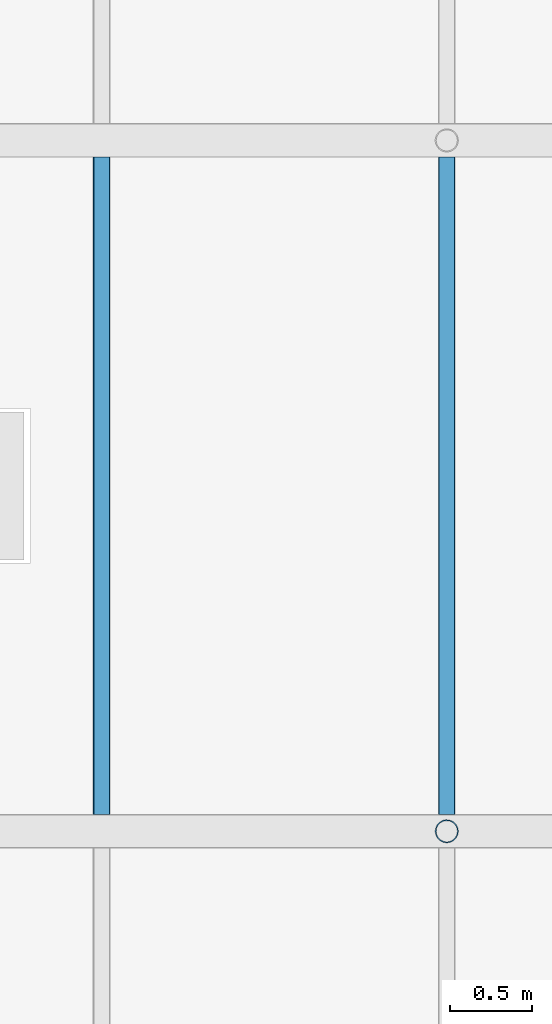
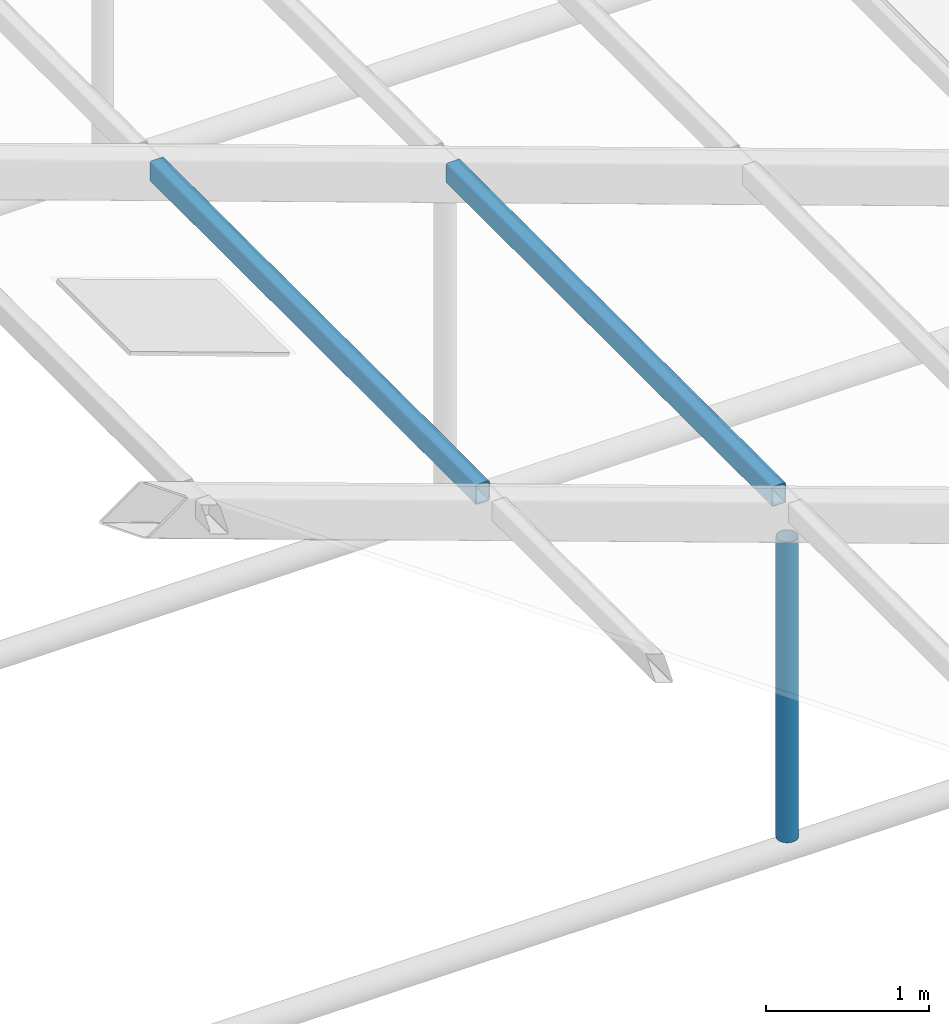
# One storey, part 56 of 116: 3 members.
"""IFC4 building model written with IfcOpenShell, lengths in metres."""

import ifcopenshell
import ifcopenshell.guid

model = None  # the IFC model being written
_history = None  # IfcOwnerHistory: only IFC2X3 demands one
_inside = {}  # id of a spatial element -> (the spatial element, [elements in it])
_under = {}  # id of a project, library or spatial element -> (it, [spatial elements below it])
_declared = {}  # id of a project -> (the project, [libraries it declares])
_typed = {}  # id of a type object -> (the type object, [elements of that type])
_made_of = {}  # id of a material, layer set ... -> (it, [elements and type objects made of it])


def new_model(schema):
    """Start an empty IFC model of exactly this schema.

    Asked for "IFC4X3", IfcOpenShell would pick the latest addendum, in which some entities
    have other attributes; the version numbers below select the first issue.
    IFC2X3 requires an IfcOwnerHistory on every rooted entity: one is made here for all.
    """
    global model, _history
    if schema == "IFC4X3":
        model = ifcopenshell.file(schema_version=(4, 3, 0, 0))
    else:
        model = ifcopenshell.file(schema=schema)
    _inside.clear()
    _under.clear()
    _declared.clear()
    _typed.clear()
    _made_of.clear()
    _history = None
    if model.schema == "IFC2X3":
        org = make("IfcOrganization", Name="unknown")
        user = make(
            "IfcPersonAndOrganization",
            ThePerson=make("IfcPerson", FamilyName="unknown"),
            TheOrganization=org,
        )
        app = make(
            "IfcApplication",
            ApplicationDeveloper=org,
            Version="unknown",
            ApplicationFullName="unknown",
            ApplicationIdentifier="unknown",
        )
        _history = make(
            "IfcOwnerHistory",
            OwningUser=user,
            OwningApplication=app,
            ChangeAction="ADDED",
            CreationDate=0,
        )
    return model


def make(cls, **values):
    """One entity of the class cls with the attributes given. An attribute that is None is left unset."""
    return model.create_entity(
        cls, **{name: value for name, value in values.items() if value is not None}
    )


def rooted(cls, **values):
    """An entity with a GlobalId (a new one), such as an element, a storey or a relation."""
    return make(cls, GlobalId=ifcopenshell.guid.new(), OwnerHistory=_history, **values)


def si_unit(unit_type, name, prefix=None):
    """IfcSIUnit, for example si_unit("LENGTHUNIT", "METRE", prefix="MILLI")."""
    return make("IfcSIUnit", UnitType=unit_type, Prefix=prefix, Name=name)


def assignment(units):
    """IfcUnitAssignment: the units of a project."""
    return None if units is None else make("IfcUnitAssignment", Units=units)


def point(xyz):
    """IfcCartesianPoint."""
    return None if xyz is None else make("IfcCartesianPoint", Coordinates=xyz)


def direction(xyz):
    """IfcDirection."""
    return None if xyz is None else make("IfcDirection", DirectionRatios=xyz)


def frame(location, z_axis=None, x_axis=None):
    """IfcAxis2Placement3D, a coordinate frame: its origin and axes. An axis left out is left unset."""
    return make(
        "IfcAxis2Placement3D",
        Location=point(location),
        Axis=direction(z_axis),
        RefDirection=direction(x_axis),
    )


def frame_2d(location, x_axis=None):
    """IfcAxis2Placement2D, a coordinate frame in the plane: its origin and x axis."""
    return make(
        "IfcAxis2Placement2D", Location=point(location), RefDirection=direction(x_axis)
    )


def origin():
    """The frame at (0, 0, 0) with its axes left unset."""
    return frame((0.0, 0.0, 0.0))


def origin_2d():
    """The frame at (0, 0) in the plane with its x axis left unset."""
    return frame_2d((0.0, 0.0))


def place(relative_to, where):
    """IfcLocalPlacement: puts the frame where relative to a parent placement (None: the world)."""
    return make(
        "IfcLocalPlacement", PlacementRelTo=relative_to, RelativePlacement=where
    )


def context(
    kind, dimensions, precision=None, world=None, true_north=None, identifier=None
):
    """IfcGeometricRepresentationContext, for example the 3D "Model" context."""
    return make(
        "IfcGeometricRepresentationContext",
        ContextIdentifier=identifier,
        ContextType=kind,
        CoordinateSpaceDimension=dimensions,
        Precision=precision,
        WorldCoordinateSystem=world,
        TrueNorth=true_north,
    )


def subcontext(parent, identifier, kind, view, scale=None):
    """IfcGeometricRepresentationSubContext, for example "Body" below "Model"."""
    return make(
        "IfcGeometricRepresentationSubContext",
        ContextIdentifier=identifier,
        ContextType=kind,
        ParentContext=parent,
        TargetScale=scale,
        TargetView=view,
    )


def project(units=None, contexts=None):
    """IfcProject with its units and contexts."""
    return rooted(
        "IfcProject",
        Name="project",
        RepresentationContexts=contexts,
        UnitsInContext=assignment(units),
    )


def spatial(cls, under=None, at=None, **own):
    """A site, building, storey or space (cls), placed at a placement, below another one or the project."""
    s = rooted(cls, ObjectPlacement=at, **own)
    if under is not None:
        _under.setdefault(under.id(), (under, []))[1].append(s)
    return s


def profile(cls, at=None, kind="AREA", **sizes):
    """A parametric profile (cls). Its sizes go by their IFC names, for example OverallWidth=200.0."""
    return make(cls, ProfileType=kind, Position=at, **sizes)


def hollow_rectangle(**sizes):
    """IfcRectangleHollowProfileDef."""
    return profile("IfcRectangleHollowProfileDef", **sizes)


def hollow_circle(**sizes):
    """IfcCircleHollowProfileDef."""
    return profile("IfcCircleHollowProfileDef", **sizes)


def extrude(swept, where, along, depth):
    """IfcExtrudedAreaSolid: the profile swept, set in the frame where, extruded along a direction by depth."""
    return make(
        "IfcExtrudedAreaSolid",
        SweptArea=swept,
        Position=where,
        ExtrudedDirection=direction(along),
        Depth=depth,
    )


def shape(context_of_items, identifier, shape_type, items):
    """IfcShapeRepresentation: the items that make up one representation, for example the "Body"."""
    return make(
        "IfcShapeRepresentation",
        ContextOfItems=context_of_items,
        RepresentationIdentifier=identifier,
        RepresentationType=shape_type,
        Items=items,
    )


def material(Name=None, Category=None):
    """IfcMaterial."""
    return make("IfcMaterial", Name=Name, Category=Category)


def material_profile(
    of_material, cross_section, Name=None, Category=None, Priority=None
):
    """IfcMaterialProfile: a cross section and its material."""
    return make(
        "IfcMaterialProfile",
        Name=Name,
        Material=of_material,
        Profile=cross_section,
        Priority=Priority,
        Category=Category,
    )


def profile_set(profiles, Name=None, composite=None):
    """IfcMaterialProfileSet."""
    return make(
        "IfcMaterialProfileSet",
        Name=Name,
        MaterialProfiles=profiles,
        CompositeProfile=composite,
    )


def made_of(thing, what):
    """Note that an element or type object is made of a material, layer set ...; save() writes the relation."""
    if what is not None:
        _made_of.setdefault(what.id(), (what, []))[1].append(thing)
    return thing


def type_object(cls, material=None, **own):
    """A type object (cls), such as IfcWallType, which elements share."""
    return made_of(rooted(cls, **own), material)


def element(
    cls,
    number,
    at=None,
    inside=None,
    cuts=None,
    type_object=None,
    material=None,
    context=None,
    identifier="Body",
    shape_type=None,
    held_by="IfcProductDefinitionShape",
    body=None,
    shapes=None,
    **own,
):
    """One element of the class cls, such as IfcWall. Its Tag is "e" and its number.

    at: its placement. inside: the storey or other place that contains it. cuts: it is an
    opening in that element (IfcRelVoidsElement). A single representation is given by context,
    identifier, shape_type and body (its items); several are given by shapes. held_by: the class
    of the entity that holds the representations. save() writes the other relations.
    """
    e = rooted(cls, Tag="e%d" % number, ObjectPlacement=at, **own)
    if body is not None:
        shapes = [shape(context, identifier, shape_type, body)]
    if shapes is not None:
        e.Representation = make(held_by, Representations=shapes)
    if inside is not None:
        _inside.setdefault(inside.id(), (inside, []))[1].append(e)
    if cuts is not None:
        rooted(
            "IfcRelVoidsElement", RelatingBuildingElement=cuts, RelatedOpeningElement=e
        )
    if type_object is not None:
        _typed.setdefault(type_object.id(), (type_object, []))[1].append(e)
    return made_of(e, material)


def aggregate(whole, parts):
    """IfcRelAggregates: a whole, such as a stair, and the parts it consists of."""
    return rooted("IfcRelAggregates", RelatingObject=whole, RelatedObjects=parts)


def save(model, path):
    """Write the relations noted so far, then the file.

    IfcRelAggregates (storeys below a building ...), IfcRelContainedInSpatialStructure (elements
    in a storey), IfcRelDefinesByType, IfcRelAssociatesMaterial and IfcRelDeclares: one each for
    every whole, place, type object, material and project.
    """
    for whole, parts in _under.values():
        aggregate(whole, parts)
    for where, things in _inside.values():
        rooted(
            "IfcRelContainedInSpatialStructure",
            RelatedElements=things,
            RelatingStructure=where,
        )
    for kind, things in _typed.values():
        rooted("IfcRelDefinesByType", RelatedObjects=things, RelatingType=kind)
    for what, things in _made_of.values():
        rooted("IfcRelAssociatesMaterial", RelatedObjects=things, RelatingMaterial=what)
    for by, libraries in _declared.values():
        rooted("IfcRelDeclares", RelatingContext=by, RelatedDefinitions=libraries)
    model.write(path)


model = new_model("IFC4")

# Units and contexts
model_context = context("Model", 3, precision=1e-05, world=origin(), true_north=direction((0.0, 1.0)))
body_context = subcontext(model_context, "Body", "Model", "MODEL_VIEW")
ifc_project = project(units=[si_unit("LENGTHUNIT", "METRE"), si_unit("AREAUNIT", "SQUARE_METRE"), si_unit("VOLUMEUNIT", "CUBIC_METRE"), si_unit("PLANEANGLEUNIT", "RADIAN"), si_unit("MASSUNIT", "GRAM", prefix="KILO")], contexts=[model_context])

# Site, building, storey
site_placement = place(None, origin())
site = spatial("IfcSite", under=ifc_project, at=site_placement, CompositionType="ELEMENT")
building_placement = place(site_placement, origin())
building = spatial("IfcBuilding", under=site, at=building_placement, Name="Fescue Hill Polytechnic", CompositionType="ELEMENT")
storey_placement = place(building_placement, frame((0.0, 0.0, 13.5)))
storey = spatial("IfcBuildingStorey", under=building, at=storey_placement, Name="L03", CompositionType="ELEMENT", Elevation=13.5)

# Members
ifc_material = material(Name="Steel 350W (350 MPa)", Category="steel")
ifc_material_profile_1 = material_profile(ifc_material, hollow_rectangle(XDim=0.1015625, YDim=0.15234375, WallThickness=0.00634765625, InnerFilletRadius=0.00634765625, OuterFilletRadius=0.0126953125, at=origin_2d()), Name="Winter garden glazing purlin HSS 152x102x6.4")
ifc_profile_set_1 = profile_set([ifc_material_profile_1], Name="Steel 350W (350 MPa)")
member_type_1 = type_object("IfcMemberType", Name="Winter garden glazing purlin HSS 152x102x6.4", PredefinedType="PURLIN", material=ifc_profile_set_1)
for number, where, z_axis, x_axis, name in (
    (1, (111.30029296875, 84.1015625, 2.914306640625), (0.0, 1.0, 0.0), (-1.0, 0.0, 0.0), "Winter garden glazing purlin E3 bay 9"),
    (2, (109.200439453125, 84.1015625, 3.664306640625), (0.0, 1.0, 0.0), (-1.0, 0.0, 0.0), "Winter garden glazing purlin E4 bay 9"),
):
    element("IfcMember", number, at=place(storey_placement, frame(where, z_axis=z_axis, x_axis=x_axis)), inside=storey, type_object=member_type_1, Name=name, PredefinedType="PURLIN", context=body_context, shape_type="SweptSolid", body=[
        extrude(hollow_rectangle(XDim=0.1015625, YDim=0.15234375, WallThickness=0.00634765625, InnerFilletRadius=0.00634765625, OuterFilletRadius=0.0126953125, at=origin_2d()), origin(), (0.0, 0.0, 1.0), 3.996826171875),
    ])
ifc_material_profile_2 = material_profile(ifc_material, hollow_circle(Radius=0.070556640625, WallThickness=0.00634765625, at=origin_2d()), Name="Winter garden queen post CHS 141x6.4")
ifc_profile_set_2 = profile_set([ifc_material_profile_2], Name="Steel 350W (350 MPa)")
member_type_2 = type_object("IfcMemberType", Name="Winter garden queen post CHS 141x6.4", PredefinedType="POST", material=ifc_profile_set_2)
member_placement = place(storey_placement, frame((111.300048828125, 84.0, 0.4169921875), z_axis=(0.0, 0.0, 1.0), x_axis=(1.0, 0.0, 0.0)))
element("IfcMember", 3, at=member_placement, inside=storey, type_object=member_type_2, Name="Winter garden queen post 9B", PredefinedType="POST", context=body_context, shape_type="SweptSolid", body=[
    extrude(hollow_circle(Radius=0.070556640625, WallThickness=0.00634765625, at=origin_2d()), origin(), (0.0, 0.0, 1.0), 2.25),
])

save(model, "model.ifc")
